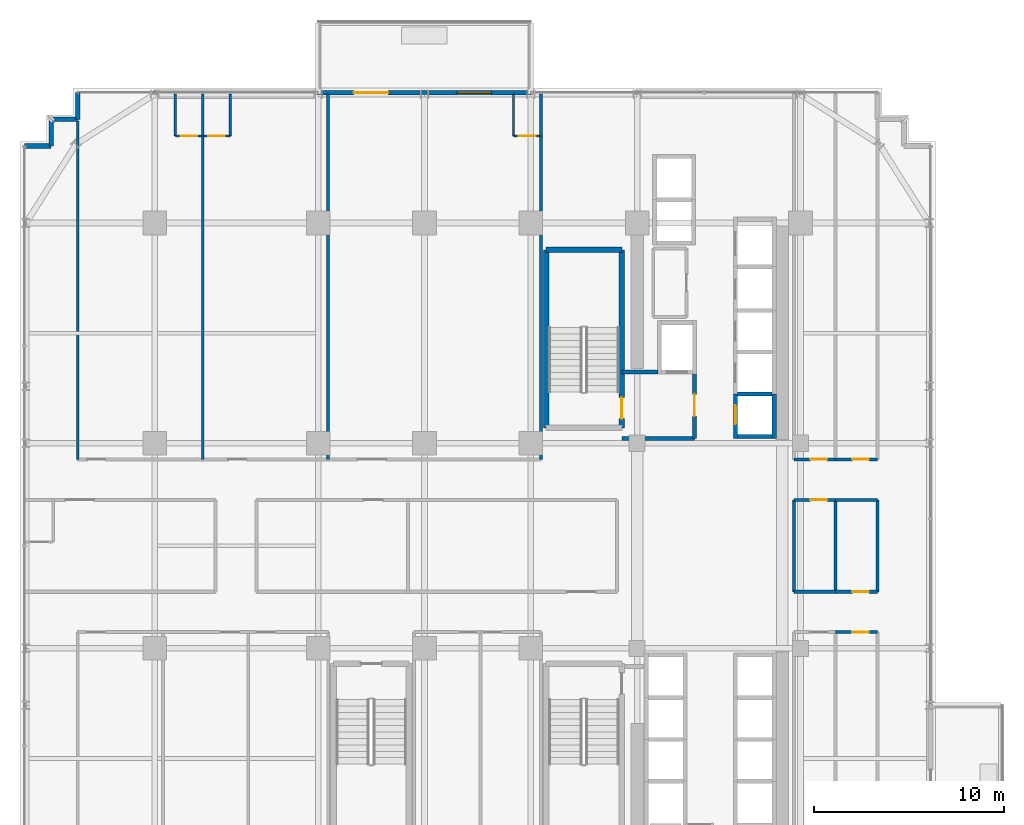
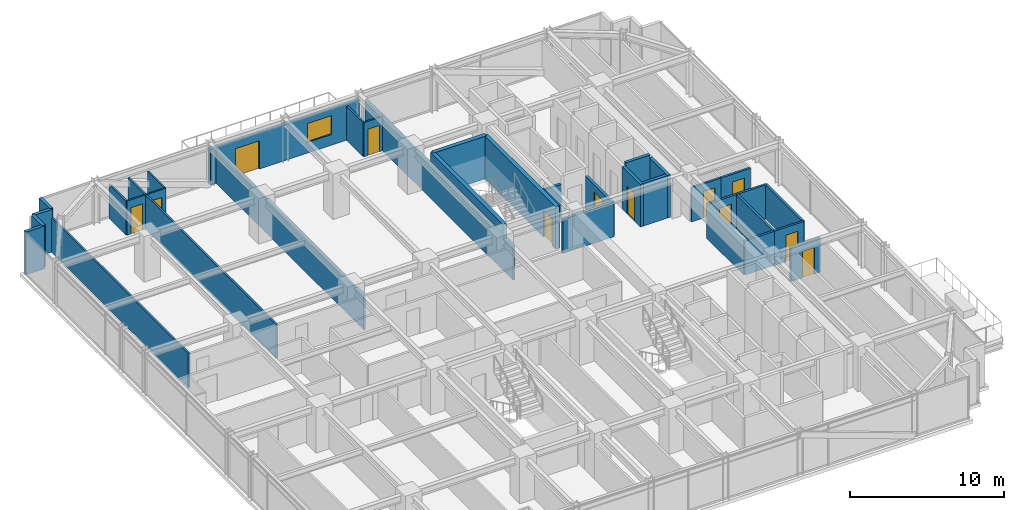
# One storey, part 35 of 41: 35 walls, 12 doors, 1 window, 13 openings.
"""IFC4 building model written with IfcOpenShell, lengths in metres."""

from ifc_helpers import new_model, si_unit, direction, frame, frame_2d, origin, place, context, subcontext, project, spatial, rectangle, extrude, source, transform, mapped, material, layer, layer_set, type_object, element, fill, save


model = new_model("IFC4")

# Units and contexts
model_context = context("Model", 3, precision=1e-05, world=origin(), true_north=direction((0.0, 1.0)))
body_context = subcontext(model_context, "Body", "Model", "MODEL_VIEW")
ifc_project = project(units=[si_unit("LENGTHUNIT", "METRE"), si_unit("AREAUNIT", "SQUARE_METRE"), si_unit("VOLUMEUNIT", "CUBIC_METRE"), si_unit("PLANEANGLEUNIT", "RADIAN"), si_unit("MASSUNIT", "GRAM", prefix="KILO")], contexts=[model_context])

# Site, building, storey
site_placement = place(None, origin())
site = spatial("IfcSite", under=ifc_project, at=site_placement, CompositionType="ELEMENT")
building_placement = place(site_placement, origin())
building = spatial("IfcBuilding", under=site, at=building_placement, Name="Nahalor Promenade Grand Hotel", CompositionType="ELEMENT")
storey_placement = place(building_placement, frame((0.0, 0.0, 113.85009765625)))
storey = spatial("IfcBuildingStorey", under=building, at=storey_placement, Name="L28", CompositionType="ELEMENT", Elevation=113.85009765625)

# Walls
ifc_material_1 = material(Name="Concrete B-50 (C40/50)", Category="concrete")
ifc_layer_1 = layer(ifc_material_1, 0.300048828125)
ifc_layer_set_1 = layer_set([ifc_layer_1], Name="Concrete B-50 (C40/50)")
wall_type_1 = type_object("IfcWallType", Name="Wall-ShaftShear-300", PredefinedType="SHEAR", material=ifc_layer_set_1)
shared_shape_1 = source(origin(), body_context, "Body", "SweptSolid", [
    extrude(rectangle(XDim=3.97998046875, YDim=0.300048828125, at=frame_2d((1.989990234375, 0.0))), origin(), (0.0, 0.0, 1.0), 3.3798828125),
])
wall_1_placement = place(storey_placement, frame((3.610107421875, 15.590087890625, 0.0), z_axis=(0.0, 0.0, 1.0), x_axis=(1.0, 0.0, 0.0)))
element("IfcWall", 1, at=wall_1_placement, inside=storey, type_object=wall_type_1, Name="L28 Exit Stair ST1 Shaft Wall N", PredefinedType="SHEAR", context=body_context, shape_type="MappedRepresentation", body=[
    mapped(shared_shape_1, transform((0.0, 0.0, 0.0), scale=1.0)),
])
shared_shape_2 = source(origin(), body_context, "Body", "SweptSolid", [
    extrude(rectangle(XDim=9.380126953125, YDim=0.300048828125, at=frame_2d((4.68994140625, 0.0))), origin(), (0.0, 0.0, 1.0), 3.3798828125),
])
wall_2_placement = place(storey_placement, frame((3.610107421875, 6.2099609375, 0.0), z_axis=(0.0, 0.0, 1.0), x_axis=(0.0, 1.0, 0.0)))
element("IfcWall", 2, at=wall_2_placement, inside=storey, type_object=wall_type_1, Name="L28 Exit Stair ST1 Shaft Wall W", PredefinedType="SHEAR", context=body_context, shape_type="MappedRepresentation", body=[
    mapped(shared_shape_2, transform((0.0, 0.0, 0.0), scale=1.0)),
])

# Wall, opening, door
wall_3_placement = place(storey_placement, frame((7.590087890625, 6.2099609375, 0.0), z_axis=(0.0, 0.0, 1.0), x_axis=(0.0, 1.0, 0.0)))
wall_3 = element("IfcWall", 3, at=wall_3_placement, inside=storey, type_object=wall_type_1, Name="L28 Exit Stair ST1 Shaft Wall E", PredefinedType="SHEAR", context=body_context, shape_type="MappedRepresentation", body=[
    mapped(shared_shape_2, transform((0.0, 0.0, 0.0), scale=1.0)),
])
opening_1_placement = place(wall_3_placement, frame((0.489990234375, 0.0, 0.0)))
opening_1 = element("IfcOpeningElement", 4, at=opening_1_placement, cuts=wall_3, Name="Opening D-ST1", PredefinedType="OPENING", context=body_context, shape_type="SweptSolid", body=[
    extrude(rectangle(XDim=1.10009765625, YDim=2.14990234375, at=frame_2d((0.550048828125, 1.074951171875))), frame((0.0, 0.159912109375, 0.0), z_axis=(0.0, -1.0, 0.0), x_axis=(1.0, 0.0, 0.0)), (0.0, 0.0, 1.0), 0.320068359375),
])
ifc_material_2 = material(Name="Steel S355JR", Category="steel")
door_type_1 = type_object("IfcDoorType", Name="Door-StairFire-1100", OperationType="NOTDEFINED", PredefinedType="DOOR", material=ifc_material_2)
shared_shape_3 = source(origin(), body_context, "Body", "SweptSolid", [
    extrude(rectangle(XDim=1.10009765625, YDim=2.14990234375, at=frame_2d((0.550048828125, 1.074951171875))), frame((0.0, 0.02490234375, 0.0), z_axis=(0.0, -1.0, 0.0), x_axis=(1.0, 0.0, 0.0)), (0.0, 0.0, 1.0), 0.050048828125),
])
door_1_placement = place(opening_1_placement, origin())
door_1 = element("IfcDoor", 5, at=door_1_placement, inside=storey, type_object=door_type_1, Name="DR-STAIR-ST1-L28", OperationType="SINGLE_SWING_LEFT", OverallHeight=2.14990234375, OverallWidth=1.10009765625, PredefinedType="DOOR", context=body_context, shape_type="MappedRepresentation", body=[
    mapped(shared_shape_3, transform((0.0, 0.0, 0.0), scale=1.0)),
])
fill(opening_1, door_1)

# Wall
ifc_layer_2 = layer(ifc_material_1, 0.219970703125)
ifc_layer_set_2 = layer_set([ifc_layer_2], Name="Concrete B-50 (C40/50)")
wall_type_2 = type_object("IfcWallType", Name="Wall-LiftShaft-220", PredefinedType="SHEAR", material=ifc_layer_set_2)
shared_shape_4 = source(origin(), body_context, "Body", "SweptSolid", [
    extrude(rectangle(XDim=1.820068359375, YDim=0.219970703125, at=frame_2d((0.91015625, 0.0))), origin(), (0.0, 0.0, 1.0), 3.64990234375),
])
wall_4_placement = place(storey_placement, frame((13.68994140625, 8.0, 0.0), z_axis=(0.0, 0.0, 1.0), x_axis=(1.0, 0.0, 0.0)))
element("IfcWall", 6, at=wall_4_placement, inside=storey, type_object=wall_type_2, Name="L28 Lift PL1 Hoistway Wall N", PredefinedType="SHEAR", context=body_context, shape_type="MappedRepresentation", body=[
    mapped(shared_shape_4, transform((0.0, 0.0, 0.0), scale=1.0)),
])

# Wall, opening, door
shared_shape_5 = source(origin(), body_context, "Body", "SweptSolid", [
    extrude(rectangle(XDim=2.360107421875, YDim=0.219970703125, at=frame_2d((1.18017578125, 0.0))), origin(), (0.0, 0.0, 1.0), 3.3798828125),
])
wall_5_placement = place(storey_placement, frame((13.580078125, 5.639892578125, 0.0), z_axis=(0.0, 0.0, 1.0), x_axis=(0.0, 1.0, 0.0)))
wall_5 = element("IfcWall", 7, at=wall_5_placement, inside=storey, type_object=wall_type_2, Name="L28 Lift PL1 Hoistway Wall W", PredefinedType="SHEAR", context=body_context, shape_type="MappedRepresentation", body=[
    mapped(shared_shape_5, transform((0.0, 0.0, 0.0), scale=1.0)),
])
opening_2_placement = place(wall_5_placement, frame((0.760009765625, 0.0, 0.0)))
opening_2 = element("IfcOpeningElement", 8, at=opening_2_placement, cuts=wall_5, Name="Opening LD-01", PredefinedType="OPENING", context=body_context, shape_type="SweptSolid", body=[
    extrude(rectangle(XDim=1.0, YDim=2.199951171875, at=frame_2d((0.5, 1.10009765625))), frame((0.0, 0.119873046875, 0.0), z_axis=(0.0, -1.0, 0.0), x_axis=(1.0, 0.0, 0.0)), (0.0, 0.0, 1.0), 0.239990234375),
])
door_type_2 = type_object("IfcDoorType", Name="Door-LiftLanding-1000", OperationType="DOUBLE_DOOR_SLIDING", PredefinedType="DOOR", material=ifc_material_2)
shared_shape_6 = source(origin(), body_context, "Body", "SweptSolid", [
    extrude(rectangle(XDim=1.0, YDim=2.199951171875, at=frame_2d((0.5, 1.10009765625))), frame((0.0, 0.02490234375, 0.0), z_axis=(0.0, -1.0, 0.0), x_axis=(1.0, 0.0, 0.0)), (0.0, 0.0, 1.0), 0.050048828125),
])
door_2_placement = place(opening_2_placement, origin())
door_2 = element("IfcDoor", 9, at=door_2_placement, inside=storey, type_object=door_type_2, Name="DR-LIFT-PL1-L28", OperationType="DOUBLE_DOOR_SLIDING", OverallHeight=2.199951171875, OverallWidth=1.0, PredefinedType="DOOR", context=body_context, shape_type="MappedRepresentation", body=[
    mapped(shared_shape_6, transform((0.0, 0.0, 0.0), scale=1.0)),
])
fill(opening_2, door_2)

# Walls
wall_6_placement = place(storey_placement, frame((15.6201171875, 5.639892578125, 0.0), z_axis=(0.0, 0.0, 1.0), x_axis=(0.0, 1.0, 0.0)))
element("IfcWall", 10, at=wall_6_placement, inside=storey, type_object=wall_type_2, Name="L28 Lift PL1 Hoistway Wall E", PredefinedType="SHEAR", context=body_context, shape_type="MappedRepresentation", body=[
    mapped(shared_shape_5, transform((0.0, 0.0, 0.0), scale=1.0)),
])
shared_shape_7 = source(origin(), body_context, "Body", "SweptSolid", [
    extrude(rectangle(XDim=1.820068359375, YDim=0.219970703125, at=frame_2d((0.91015625, 0.0))), origin(), (0.0, 0.0, 1.0), 3.3798828125),
])
wall_7_placement = place(storey_placement, frame((13.68994140625, 5.75, 0.0), z_axis=(0.0, 0.0, 1.0), x_axis=(1.0, 0.0, 0.0)))
element("IfcWall", 11, at=wall_7_placement, inside=storey, type_object=wall_type_2, Name="L28 Lift PL1 Hoistway Wall S", PredefinedType="SHEAR", context=body_context, shape_type="MappedRepresentation", body=[
    mapped(shared_shape_7, transform((0.0, 0.0, 0.0), scale=1.0)),
])
ifc_material_3 = material(Name="Concrete B-40 (C32/40)", Category="concrete")
ifc_layer_3 = layer(ifc_material_3, 0.25)
ifc_layer_set_3 = layer_set([ifc_layer_3], Name="Concrete B-40 (C32/40)")
wall_type_3 = type_object("IfcWallType", Name="Wall-BronzePier-250", PredefinedType="STANDARD", material=ifc_layer_set_3)
shared_shape_8 = source(origin(), body_context, "Body", "SweptSolid", [
    extrude(rectangle(XDim=1.400146484375, YDim=0.25, at=frame_2d((0.7001953125, 0.0))), origin(), (0.0, 0.0, 1.0), 3.3798828125),
])
for number, where, z_axis, x_axis, name in (
    (12, (-21.06005859375, 22.4599609375, 0.0), (0.0, 0.0, 1.0), (0.0, 1.0, 0.0), "W-L28-SR-09"),
    (13, (-23.860107421875, 21.06005859375, 0.0), (0.0, 0.0, 1.0), (1.0, 0.0, 0.0), "W-L28-SR-12"),
):
    element("IfcWall", number, at=place(storey_placement, frame(where, z_axis=z_axis, x_axis=x_axis)), inside=storey, type_object=wall_type_3, Name=name, PredefinedType="STANDARD", context=body_context, shape_type="MappedRepresentation", body=[
        mapped(shared_shape_8, transform((0.0, 0.0, 0.0), scale=1.0)),
    ])
shared_shape_9 = source(origin(), body_context, "Body", "SweptSolid", [
    extrude(rectangle(XDim=1.39990234375, YDim=0.25, at=frame_2d((0.699951171875, 0.0))), origin(), (0.0, 0.0, 1.0), 3.3798828125),
])
for number, where, z_axis, x_axis, name in (
    (14, (-22.4599609375, 22.4599609375, 0.0), (0.0, 0.0, 1.0), (1.0, 0.0, 0.0), "W-L28-SR-10"),
    (15, (-22.4599609375, 21.06005859375, 0.0), (0.0, 0.0, 1.0), (0.0, 1.0, 0.0), "W-L28-SR-11"),
):
    element("IfcWall", number, at=place(storey_placement, frame(where, z_axis=z_axis, x_axis=x_axis)), inside=storey, type_object=wall_type_3, Name=name, PredefinedType="STANDARD", context=body_context, shape_type="MappedRepresentation", body=[
        mapped(shared_shape_9, transform((0.0, 0.0, 0.0), scale=1.0)),
    ])

# Wall, openings, door, window
ifc_layer_4 = layer(ifc_material_3, 0.260009765625)
ifc_layer_set_4 = layer_set([ifc_layer_4], Name="Concrete B-40 (C32/40)")
wall_type_4 = type_object("IfcWallType", Name="Wall-BalconyWall-260", PredefinedType="STANDARD", material=ifc_layer_set_4)
shared_shape_10 = source(origin(), body_context, "Body", "SweptSolid", [
    extrude(rectangle(XDim=11.199951171875, YDim=0.260009765625, at=frame_2d((5.60009765625, 0.0))), origin(), (0.0, 0.0, 1.0), 2.85986328125),
])
wall_8_placement = place(storey_placement, frame((-8.39990234375, 23.860107421875, 0.0), z_axis=(0.0, 0.0, 1.0), x_axis=(1.0, 0.0, 0.0)))
wall_8 = element("IfcWall", 16, at=wall_8_placement, inside=storey, type_object=wall_type_4, Name="W-L28-BALC-N-2", PredefinedType="STANDARD", context=body_context, shape_type="MappedRepresentation", body=[
    mapped(shared_shape_10, transform((0.0, 0.0, 0.0), scale=1.0)),
])
opening_3_placement = place(wall_8_placement, frame((1.883056640625, 0.0, 0.0)))
opening_3 = element("IfcOpeningElement", 17, at=opening_3_placement, cuts=wall_8, Name="Opening D-BC1", PredefinedType="OPENING", context=body_context, shape_type="SweptSolid", body=[
    extrude(rectangle(XDim=1.800048828125, YDim=2.25, at=frame_2d((0.89990234375, 1.125))), frame((0.0, 0.139892578125, 0.0), z_axis=(0.0, -1.0, 0.0), x_axis=(1.0, 0.0, 0.0)), (0.0, 0.0, 1.0), 0.280029296875),
])
opening_4_placement = place(wall_8_placement, frame((7.320068359375, 0.0, 0.85009765625)))
opening_4 = element("IfcOpeningElement", 18, at=opening_4_placement, cuts=wall_8, Name="Opening WN-01", PredefinedType="OPENING", context=body_context, shape_type="SweptSolid", body=[
    extrude(rectangle(XDim=1.800048828125, YDim=1.5, at=frame_2d((0.89990234375, 0.75))), frame((0.0, 0.139892578125, 0.0), z_axis=(0.0, -1.0, 0.0), x_axis=(1.0, 0.0, 0.0)), (0.0, 0.0, 1.0), 0.280029296875),
])
ifc_material_4 = material(Name="Anodised Bronze Aluminium EN AW-6063 T6", Category="aluminium")
door_type_3 = type_object("IfcDoorType", Name="Door-BalconySlide-1800", OperationType="DOUBLE_DOOR_SLIDING", PredefinedType="DOOR", material=ifc_material_4)
shared_shape_11 = source(origin(), body_context, "Body", "SweptSolid", [
    extrude(rectangle(XDim=1.800048828125, YDim=2.25, at=frame_2d((0.89990234375, 1.125))), frame((0.0, 0.02490234375, 0.0), z_axis=(0.0, -1.0, 0.0), x_axis=(1.0, 0.0, 0.0)), (0.0, 0.0, 1.0), 0.050048828125),
])
door_3_placement = place(opening_3_placement, origin())
door_3 = element("IfcDoor", 19, at=door_3_placement, inside=storey, type_object=door_type_3, Name="DR-L28-BALC-N-2", OperationType="DOUBLE_DOOR_SLIDING", OverallHeight=2.25, OverallWidth=1.800048828125, PredefinedType="DOOR", context=body_context, shape_type="MappedRepresentation", body=[
    mapped(shared_shape_11, transform((0.0, 0.0, 0.0), scale=1.0)),
])
fill(opening_3, door_3)
ifc_material_5 = material(Name="Low-E Laminated Solar Glass", Category="glass")
window_type = type_object("IfcWindowType", Name="Win-ChicagoBay-1800x1500", PartitioningType="SINGLE_PANEL", PredefinedType="WINDOW", material=ifc_material_5)
shared_shape_12 = source(origin(), body_context, "Body", "SweptSolid", [
    extrude(rectangle(XDim=1.800048828125, YDim=1.5, at=frame_2d((0.89990234375, 0.75))), frame((0.0, 0.030029296875, 0.0), z_axis=(0.0, -1.0, 0.0), x_axis=(1.0, 0.0, 0.0)), (0.0, 0.0, 1.0), 0.06005859375),
])
window_placement = place(opening_4_placement, origin())
window = element("IfcWindow", 20, at=window_placement, inside=storey, type_object=window_type, Name="WN-L28-BALC-N-2-1", OverallHeight=1.5, OverallWidth=1.800048828125, PartitioningType="SINGLE_PANEL", PredefinedType="WINDOW", context=body_context, shape_type="MappedRepresentation", body=[
    mapped(shared_shape_12, transform((0.0, 0.0, 0.0), scale=1.0)),
])
fill(opening_4, window)

# Walls
ifc_layer_5 = layer(ifc_material_3, 0.199951171875)
ifc_layer_set_5 = layer_set([ifc_layer_5], Name="Concrete B-40 (C32/40)")
wall_type_5 = type_object("IfcWallType", Name="Wall-PartFire-200", PredefinedType="PARTITIONING", material=ifc_layer_set_5)
shared_shape_13 = source(origin(), body_context, "Body", "SweptSolid", [
    extrude(rectangle(XDim=3.81982421875, YDim=0.199951171875, at=frame_2d((1.909912109375, 0.0))), origin(), (0.0, 0.0, 1.0), 2.719970703125),
])
wall_9_placement = place(storey_placement, frame((7.60009765625, 5.64990234375, 0.0), z_axis=(0.0, 0.0, 1.0), x_axis=(1.0, 0.0, 0.0)))
element("IfcWall", 21, at=wall_9_placement, inside=storey, type_object=wall_type_5, Name="W-L28-FF1-S", PredefinedType="PARTITIONING", context=body_context, shape_type="MappedRepresentation", body=[
    mapped(shared_shape_13, transform((0.0, 0.0, 0.0), scale=1.0)),
])
shared_shape_14 = source(origin(), body_context, "Body", "SweptSolid", [
    extrude(rectangle(XDim=1.89990234375, YDim=0.199951171875, at=frame_2d((0.949951171875, 0.0))), origin(), (0.0, 0.0, 1.0), 2.719970703125),
])
wall_10_placement = place(storey_placement, frame((7.60009765625, 9.14990234375, 0.0), z_axis=(0.0, 0.0, 1.0), x_axis=(1.0, 0.0, 0.0)))
element("IfcWall", 22, at=wall_10_placement, inside=storey, type_object=wall_type_5, Name="W-L28-FF1-N", PredefinedType="PARTITIONING", context=body_context, shape_type="MappedRepresentation", body=[
    mapped(shared_shape_14, transform((0.0, 0.0, 0.0), scale=1.0)),
])

# Wall, opening, door
shared_shape_15 = source(origin(), body_context, "Body", "SweptSolid", [
    extrude(rectangle(XDim=3.5, YDim=0.199951171875, at=frame_2d((1.75, 0.0))), origin(), (0.0, 0.0, 1.0), 2.719970703125),
])
wall_11_placement = place(storey_placement, frame((11.419921875, 5.64990234375, 0.0), z_axis=(0.0, 0.0, 1.0), x_axis=(0.0, 1.0, 0.0)))
wall_11 = element("IfcWall", 23, at=wall_11_placement, inside=storey, type_object=wall_type_5, Name="W-L28-FF1-E", PredefinedType="PARTITIONING", context=body_context, shape_type="MappedRepresentation", body=[
    mapped(shared_shape_15, transform((0.0, 0.0, 0.0), scale=1.0)),
])
opening_5_placement = place(wall_11_placement, frame((1.175048828125, 0.0, 0.0)))
opening_5 = element("IfcOpeningElement", 24, at=opening_5_placement, cuts=wall_11, Name="Opening D-FF1", PredefinedType="OPENING", context=body_context, shape_type="SweptSolid", body=[
    extrude(rectangle(XDim=1.14990234375, YDim=2.14990234375, at=frame_2d((0.574951171875, 1.074951171875))), frame((0.0, 0.10986328125, 0.0), z_axis=(0.0, -1.0, 0.0), x_axis=(1.0, 0.0, 0.0)), (0.0, 0.0, 1.0), 0.219970703125),
])
door_type_4 = type_object("IfcDoorType", Name="Door-FFLobby-1150", OperationType="NOTDEFINED", PredefinedType="DOOR", material=ifc_material_2)
shared_shape_16 = source(origin(), body_context, "Body", "SweptSolid", [
    extrude(rectangle(XDim=1.14990234375, YDim=2.14990234375, at=frame_2d((0.574951171875, 1.074951171875))), frame((0.0, 0.02490234375, 0.0), z_axis=(0.0, -1.0, 0.0), x_axis=(1.0, 0.0, 0.0)), (0.0, 0.0, 1.0), 0.050048828125),
])
door_4_placement = place(opening_5_placement, frame((1.14990234375, 0.0, 0.0), z_axis=(0.0, 0.0, 1.0), x_axis=(-1.0, 0.0, 0.0)))
door_4 = element("IfcDoor", 25, at=door_4_placement, inside=storey, type_object=door_type_4, Name="DR-L28-FFL1", OperationType="SINGLE_SWING_RIGHT", OverallHeight=2.14990234375, OverallWidth=1.14990234375, PredefinedType="DOOR", context=body_context, shape_type="MappedRepresentation", body=[
    mapped(shared_shape_16, transform((0.0, 0.0, 0.0), scale=1.0)),
])
fill(opening_5, door_4)

# Walls
ifc_material_6 = material(Name="Acoustic Mineral Gypsum", Category="gypsum")
ifc_layer_6 = layer(ifc_material_6, 0.139892578125)
ifc_layer_set_6 = layer_set([ifc_layer_6], Name="Acoustic Mineral Gypsum")
wall_type_6 = type_object("IfcWallType", Name="Wall-PartSuite-140", PredefinedType="PARTITIONING", material=ifc_layer_set_6)
shared_shape_17 = source(origin(), body_context, "Body", "SweptSolid", [
    extrude(rectangle(XDim=17.829833984375, YDim=0.139892578125, at=frame_2d((8.9150390625, 0.0))), origin(), (0.0, 0.0, 1.0), 2.719970703125),
])
wall_12_placement = place(storey_placement, frame((-21.06005859375, 4.550048828125, 0.0), z_axis=(0.0, 0.0, 1.0), x_axis=(0.0, 1.0, 0.0)))
element("IfcWall", 26, at=wall_12_placement, inside=storey, type_object=wall_type_6, Name="W-L28-NW-ENDW", PredefinedType="PARTITIONING", context=body_context, shape_type="MappedRepresentation", body=[
    mapped(shared_shape_17, transform((0.0, 0.0, 0.0), scale=1.0)),
])
shared_shape_18 = source(origin(), body_context, "Body", "SweptSolid", [
    extrude(rectangle(XDim=19.25, YDim=0.139892578125, at=frame_2d((9.625, 0.0))), origin(), (0.0, 0.0, 1.0), 2.719970703125),
])
for number, where, z_axis, x_axis, name in (
    (27, (3.340087890625, 4.550048828125, 0.0), (0.0, 0.0, 1.0), (0.0, 1.0, 0.0), "W-L28-NW-ENDE"),
    (28, (-14.471923828125, 4.550048828125, 0.0), (0.0, 0.0, 1.0), (0.0, 1.0, 0.0), "W-L28-NP-1"),
    (29, (-7.884033203125, 4.550048828125, 0.0), (0.0, 0.0, 1.0), (0.0, 1.0, 0.0), "W-L28-NP-2"),
):
    element("IfcWall", number, at=place(storey_placement, frame(where, z_axis=z_axis, x_axis=x_axis)), inside=storey, type_object=wall_type_6, Name=name, PredefinedType="PARTITIONING", context=body_context, shape_type="MappedRepresentation", body=[
        mapped(shared_shape_18, transform((0.0, 0.0, 0.0), scale=1.0)),
    ])

# Wall, opening, door
ifc_layer_7 = layer(ifc_material_6, 0.1201171875)
ifc_layer_set_7 = layer_set([ifc_layer_7], Name="Acoustic Mineral Gypsum")
wall_type_7 = type_object("IfcWallType", Name="Wall-PartBath-120", PredefinedType="PARTITIONING", material=ifc_layer_set_7)
shared_shape_19 = source(origin(), body_context, "Body", "SweptSolid", [
    extrude(rectangle(XDim=1.4501953125, YDim=0.1201171875, at=frame_2d((0.72509765625, 0.0))), origin(), (0.0, 0.0, 1.0), 2.719970703125),
])
wall_13_placement = place(storey_placement, frame((-15.922119140625, 21.580078125, 0.0), z_axis=(0.0, 0.0, 1.0), x_axis=(1.0, 0.0, 0.0)))
wall_13 = element("IfcWall", 30, at=wall_13_placement, inside=storey, type_object=wall_type_7, Name="W-L28-N1-BH", PredefinedType="PARTITIONING", context=body_context, shape_type="MappedRepresentation", body=[
    mapped(shared_shape_19, transform((0.0, 0.0, 0.0), scale=1.0)),
])
opening_6_placement = place(wall_13_placement, frame((0.284912109375, 0.0, 0.0)))
opening_6 = element("IfcOpeningElement", 31, at=opening_6_placement, cuts=wall_13, Name="Opening D-03", PredefinedType="OPENING", context=body_context, shape_type="SweptSolid", body=[
    extrude(rectangle(XDim=0.8798828125, YDim=2.10009765625, at=frame_2d((0.43994140625, 1.050048828125))), frame((0.0, 0.070068359375, 0.0), z_axis=(0.0, -1.0, 0.0), x_axis=(1.0, 0.0, 0.0)), (0.0, 0.0, 1.0), 0.14013671875),
])
ifc_material_7 = material(Name="Fire-Rated Timber Composite", Category="wood")
door_type_5 = type_object("IfcDoorType", Name="Door-BathSwing-880", OperationType="NOTDEFINED", PredefinedType="DOOR", material=ifc_material_7)
shared_shape_20 = source(origin(), body_context, "Body", "SweptSolid", [
    extrude(rectangle(XDim=0.8798828125, YDim=2.10009765625, at=frame_2d((0.43994140625, 1.050048828125))), frame((0.0, 0.02490234375, 0.0), z_axis=(0.0, -1.0, 0.0), x_axis=(1.0, 0.0, 0.0)), (0.0, 0.0, 1.0), 0.050048828125),
])
door_5_placement = place(opening_6_placement, origin())
door_5 = element("IfcDoor", 32, at=door_5_placement, inside=storey, type_object=door_type_5, Name="DR-L28-N1-BATH", OperationType="SINGLE_SWING_LEFT", OverallHeight=2.10009765625, OverallWidth=0.8798828125, PredefinedType="DOOR", context=body_context, shape_type="MappedRepresentation", body=[
    mapped(shared_shape_20, transform((0.0, 0.0, 0.0), scale=1.0)),
])
fill(opening_6, door_5)

wall_14_placement = place(storey_placement, frame((1.889892578125, 21.580078125, 0.0), z_axis=(0.0, 0.0, 1.0), x_axis=(1.0, 0.0, 0.0)))
wall_14 = element("IfcWall", 33, at=wall_14_placement, inside=storey, type_object=wall_type_7, Name="W-L28-N3-BH", PredefinedType="PARTITIONING", context=body_context, shape_type="MappedRepresentation", body=[
    mapped(shared_shape_19, transform((0.0, 0.0, 0.0), scale=1.0)),
])
opening_7_placement = place(wall_14_placement, frame((0.284912109375, 0.0, 0.0)))
opening_7 = element("IfcOpeningElement", 34, at=opening_7_placement, cuts=wall_14, Name="Opening D-03", PredefinedType="OPENING", context=body_context, shape_type="SweptSolid", body=[
    extrude(rectangle(XDim=0.8798828125, YDim=2.10009765625, at=frame_2d((0.43994140625, 1.050048828125))), frame((0.0, 0.070068359375, 0.0), z_axis=(0.0, -1.0, 0.0), x_axis=(1.0, 0.0, 0.0)), (0.0, 0.0, 1.0), 0.14013671875),
])
door_6_placement = place(opening_7_placement, origin())
door_6 = element("IfcDoor", 35, at=door_6_placement, inside=storey, type_object=door_type_5, Name="DR-L28-N3-BATH", OperationType="SINGLE_SWING_LEFT", OverallHeight=2.10009765625, OverallWidth=0.8798828125, PredefinedType="DOOR", context=body_context, shape_type="MappedRepresentation", body=[
    mapped(shared_shape_20, transform((0.0, 0.0, 0.0), scale=1.0)),
])
fill(opening_7, door_6)

# Walls
shared_shape_21 = source(origin(), body_context, "Body", "SweptSolid", [
    extrude(rectangle(XDim=2.219970703125, YDim=0.1201171875, at=frame_2d((1.10986328125, 0.0))), origin(), (0.0, 0.0, 1.0), 2.719970703125),
])
for number, where, z_axis, x_axis, name in (
    (36, (-15.922119140625, 21.580078125, 0.0), (0.0, 0.0, 1.0), (0.0, 1.0, 0.0), "W-L28-N1-BV"),
    (37, (-13.02197265625, 21.580078125, 0.0), (0.0, 0.0, 1.0), (0.0, 1.0, 0.0), "W-L28-N2-BV"),
    (38, (1.889892578125, 21.580078125, 0.0), (0.0, 0.0, 1.0), (0.0, 1.0, 0.0), "W-L28-N3-BV"),
):
    element("IfcWall", number, at=place(storey_placement, frame(where, z_axis=z_axis, x_axis=x_axis)), inside=storey, type_object=wall_type_7, Name=name, PredefinedType="PARTITIONING", context=body_context, shape_type="MappedRepresentation", body=[
        mapped(shared_shape_21, transform((0.0, 0.0, 0.0), scale=1.0)),
    ])

# Wall, opening, door
shared_shape_22 = source(origin(), body_context, "Body", "SweptSolid", [
    extrude(rectangle(XDim=1.449951171875, YDim=0.1201171875, at=frame_2d((0.72509765625, 0.0))), origin(), (0.0, 0.0, 1.0), 2.719970703125),
])
wall_15_placement = place(storey_placement, frame((-14.471923828125, 21.580078125, 0.0), z_axis=(0.0, 0.0, 1.0), x_axis=(1.0, 0.0, 0.0)))
wall_15 = element("IfcWall", 39, at=wall_15_placement, inside=storey, type_object=wall_type_7, Name="W-L28-N2-BH", PredefinedType="PARTITIONING", context=body_context, shape_type="MappedRepresentation", body=[
    mapped(shared_shape_22, transform((0.0, 0.0, 0.0), scale=1.0)),
])
opening_8_placement = place(wall_15_placement, frame((0.284912109375, 0.0, 0.0)))
opening_8 = element("IfcOpeningElement", 40, at=opening_8_placement, cuts=wall_15, Name="Opening D-03", PredefinedType="OPENING", context=body_context, shape_type="SweptSolid", body=[
    extrude(rectangle(XDim=0.8798828125, YDim=2.10009765625, at=frame_2d((0.43994140625, 1.050048828125))), frame((0.0, 0.070068359375, 0.0), z_axis=(0.0, -1.0, 0.0), x_axis=(1.0, 0.0, 0.0)), (0.0, 0.0, 1.0), 0.14013671875),
])
door_7_placement = place(opening_8_placement, origin())
door_7 = element("IfcDoor", 41, at=door_7_placement, inside=storey, type_object=door_type_5, Name="DR-L28-N2-BATH", OperationType="SINGLE_SWING_LEFT", OverallHeight=2.10009765625, OverallWidth=0.8798828125, PredefinedType="DOOR", context=body_context, shape_type="MappedRepresentation", body=[
    mapped(shared_shape_20, transform((0.0, 0.0, 0.0), scale=1.0)),
])
fill(opening_8, door_7)

# Walls
ifc_layer_8 = layer(ifc_material_6, 0.159912109375)
ifc_layer_set_8 = layer_set([ifc_layer_8], Name="Acoustic Mineral Gypsum")
wall_type_8 = type_object("IfcWallType", Name="Wall-PartCorridor-160", PredefinedType="PARTITIONING", material=ifc_layer_set_8)
shared_shape_23 = source(origin(), body_context, "Body", "SweptSolid", [
    extrude(rectangle(XDim=4.83984375, YDim=0.159912109375, at=frame_2d((2.419921875, 0.0))), origin(), (0.0, 0.0, 1.0), 2.719970703125),
])
for number, where, z_axis, x_axis, name in (
    (42, (16.64990234375, -2.419921875, 0.0), (0.0, 0.0, 1.0), (0.0, 1.0, 0.0), "W-L28-ECW1-W"),
    (43, (18.85498046875, -2.419921875, 0.0), (0.0, 0.0, 1.0), (0.0, 1.0, 0.0), "W-L28-ECW1-E"),
    (44, (21.06005859375, -2.419921875, 0.0), (0.0, 0.0, 1.0), (0.0, 1.0, 0.0), "W-L28-ECW2-E"),
):
    element("IfcWall", number, at=place(storey_placement, frame(where, z_axis=z_axis, x_axis=x_axis)), inside=storey, type_object=wall_type_8, Name=name, PredefinedType="PARTITIONING", context=body_context, shape_type="MappedRepresentation", body=[
        mapped(shared_shape_23, transform((0.0, 0.0, 0.0), scale=1.0)),
    ])

# Wall, opening, door
shared_shape_24 = source(origin(), body_context, "Body", "SweptSolid", [
    extrude(rectangle(XDim=2.205078125, YDim=0.159912109375, at=frame_2d((1.1025390625, 0.0))), origin(), (0.0, 0.0, 1.0), 2.719970703125),
])
wall_16_placement = place(storey_placement, frame((16.64990234375, 4.550048828125, 0.0), z_axis=(0.0, 0.0, 1.0), x_axis=(1.0, 0.0, 0.0)))
wall_16 = element("IfcWall", 45, at=wall_16_placement, inside=storey, type_object=wall_type_8, Name="W-L28-ENE1-S", PredefinedType="PARTITIONING", context=body_context, shape_type="MappedRepresentation", body=[
    mapped(shared_shape_24, transform((0.0, 0.0, 0.0), scale=1.0)),
])
opening_9_placement = place(wall_16_placement, frame((0.875, 0.0, 0.0)))
opening_9 = element("IfcOpeningElement", 46, at=opening_9_placement, cuts=wall_16, Name="Opening D-03", PredefinedType="OPENING", context=body_context, shape_type="SweptSolid", body=[
    extrude(rectangle(XDim=0.8798828125, YDim=2.10009765625, at=frame_2d((0.43994140625, 1.050048828125))), frame((0.0, 0.08984375, 0.0), z_axis=(0.0, -1.0, 0.0), x_axis=(1.0, 0.0, 0.0)), (0.0, 0.0, 1.0), 0.179931640625),
])
door_8_placement = place(opening_9_placement, origin())
door_8 = element("IfcDoor", 47, at=door_8_placement, inside=storey, type_object=door_type_5, Name="DR-L28-ENE1", OperationType="SINGLE_SWING_LEFT", OverallHeight=2.10009765625, OverallWidth=0.8798828125, PredefinedType="DOOR", context=body_context, shape_type="MappedRepresentation", body=[
    mapped(shared_shape_20, transform((0.0, 0.0, 0.0), scale=1.0)),
])
fill(opening_9, door_8)

wall_17_placement = place(storey_placement, frame((18.85498046875, 4.550048828125, 0.0), z_axis=(0.0, 0.0, 1.0), x_axis=(1.0, 0.0, 0.0)))
wall_17 = element("IfcWall", 48, at=wall_17_placement, inside=storey, type_object=wall_type_8, Name="W-L28-ENE2-S", PredefinedType="PARTITIONING", context=body_context, shape_type="MappedRepresentation", body=[
    mapped(shared_shape_24, transform((0.0, 0.0, 0.0), scale=1.0)),
])
opening_10_placement = place(wall_17_placement, frame((0.875, 0.0, 0.0)))
opening_10 = element("IfcOpeningElement", 49, at=opening_10_placement, cuts=wall_17, Name="Opening D-03", PredefinedType="OPENING", context=body_context, shape_type="SweptSolid", body=[
    extrude(rectangle(XDim=0.8798828125, YDim=2.10009765625, at=frame_2d((0.43994140625, 1.050048828125))), frame((0.0, 0.08984375, 0.0), z_axis=(0.0, -1.0, 0.0), x_axis=(1.0, 0.0, 0.0)), (0.0, 0.0, 1.0), 0.179931640625),
])
door_9_placement = place(opening_10_placement, origin())
door_9 = element("IfcDoor", 50, at=door_9_placement, inside=storey, type_object=door_type_5, Name="DR-L28-ENE2", OperationType="SINGLE_SWING_RIGHT", OverallHeight=2.10009765625, OverallWidth=0.8798828125, PredefinedType="DOOR", context=body_context, shape_type="MappedRepresentation", body=[
    mapped(shared_shape_20, transform((0.0, 0.0, 0.0), scale=1.0)),
])
fill(opening_10, door_9)

wall_18_placement = place(storey_placement, frame((18.85498046875, -4.550048828125, 0.0), z_axis=(0.0, 0.0, 1.0), x_axis=(1.0, 0.0, 0.0)))
wall_18 = element("IfcWall", 51, at=wall_18_placement, inside=storey, type_object=wall_type_8, Name="W-L28-ESE2-N", PredefinedType="PARTITIONING", context=body_context, shape_type="MappedRepresentation", body=[
    mapped(shared_shape_24, transform((0.0, 0.0, 0.0), scale=1.0)),
])
opening_11_placement = place(wall_18_placement, frame((0.875, 0.0, 0.0)))
opening_11 = element("IfcOpeningElement", 52, at=opening_11_placement, cuts=wall_18, Name="Opening D-03", PredefinedType="OPENING", context=body_context, shape_type="SweptSolid", body=[
    extrude(rectangle(XDim=0.8798828125, YDim=2.10009765625, at=frame_2d((0.43994140625, 1.050048828125))), frame((0.0, 0.08984375, 0.0), z_axis=(0.0, -1.0, 0.0), x_axis=(1.0, 0.0, 0.0)), (0.0, 0.0, 1.0), 0.179931640625),
])
door_10_placement = place(opening_11_placement, frame((0.8798828125, 0.0, 0.0), z_axis=(0.0, 0.0, 1.0), x_axis=(-1.0, 0.0, 0.0)))
door_10 = element("IfcDoor", 53, at=door_10_placement, inside=storey, type_object=door_type_5, Name="DR-L28-ESE2", OperationType="SINGLE_SWING_RIGHT", OverallHeight=2.10009765625, OverallWidth=0.8798828125, PredefinedType="DOOR", context=body_context, shape_type="MappedRepresentation", body=[
    mapped(shared_shape_20, transform((0.0, 0.0, 0.0), scale=1.0)),
])
fill(opening_11, door_10)

# Wall
wall_19_placement = place(storey_placement, frame((16.64990234375, -2.419921875, 0.0), z_axis=(0.0, 0.0, 1.0), x_axis=(1.0, 0.0, 0.0)))
element("IfcWall", 54, at=wall_19_placement, inside=storey, type_object=wall_type_8, Name="W-L28-ECW1-S", PredefinedType="PARTITIONING", context=body_context, shape_type="MappedRepresentation", body=[
    mapped(shared_shape_24, transform((0.0, 0.0, 0.0), scale=1.0)),
])

# Wall, opening, door
wall_20_placement = place(storey_placement, frame((16.64990234375, 2.419921875, 0.0), z_axis=(0.0, 0.0, 1.0), x_axis=(1.0, 0.0, 0.0)))
wall_20 = element("IfcWall", 55, at=wall_20_placement, inside=storey, type_object=wall_type_8, Name="W-L28-ECW1-N", PredefinedType="PARTITIONING", context=body_context, shape_type="MappedRepresentation", body=[
    mapped(shared_shape_24, transform((0.0, 0.0, 0.0), scale=1.0)),
])
opening_12_placement = place(wall_20_placement, frame((0.875, 0.0, 0.0)))
opening_12 = element("IfcOpeningElement", 56, at=opening_12_placement, cuts=wall_20, Name="Opening D-03", PredefinedType="OPENING", context=body_context, shape_type="SweptSolid", body=[
    extrude(rectangle(XDim=0.8798828125, YDim=2.10009765625, at=frame_2d((0.43994140625, 1.050048828125))), frame((0.0, 0.08984375, 0.0), z_axis=(0.0, -1.0, 0.0), x_axis=(1.0, 0.0, 0.0)), (0.0, 0.0, 1.0), 0.179931640625),
])
door_11_placement = place(opening_12_placement, frame((0.8798828125, 0.0, 0.0), z_axis=(0.0, 0.0, 1.0), x_axis=(-1.0, 0.0, 0.0)))
door_11 = element("IfcDoor", 57, at=door_11_placement, inside=storey, type_object=door_type_5, Name="DR-L28-ECW1", OperationType="SINGLE_SWING_RIGHT", OverallHeight=2.10009765625, OverallWidth=0.8798828125, PredefinedType="DOOR", context=body_context, shape_type="MappedRepresentation", body=[
    mapped(shared_shape_20, transform((0.0, 0.0, 0.0), scale=1.0)),
])
fill(opening_12, door_11)

wall_21_placement = place(storey_placement, frame((18.85498046875, -2.419921875, 0.0), z_axis=(0.0, 0.0, 1.0), x_axis=(1.0, 0.0, 0.0)))
wall_21 = element("IfcWall", 58, at=wall_21_placement, inside=storey, type_object=wall_type_8, Name="W-L28-ECW2-S", PredefinedType="PARTITIONING", context=body_context, shape_type="MappedRepresentation", body=[
    mapped(shared_shape_24, transform((0.0, 0.0, 0.0), scale=1.0)),
])
opening_13_placement = place(wall_21_placement, frame((0.875, 0.0, 0.0)))
opening_13 = element("IfcOpeningElement", 59, at=opening_13_placement, cuts=wall_21, Name="Opening D-03", PredefinedType="OPENING", context=body_context, shape_type="SweptSolid", body=[
    extrude(rectangle(XDim=0.8798828125, YDim=2.10009765625, at=frame_2d((0.43994140625, 1.050048828125))), frame((0.0, 0.08984375, 0.0), z_axis=(0.0, -1.0, 0.0), x_axis=(1.0, 0.0, 0.0)), (0.0, 0.0, 1.0), 0.179931640625),
])
door_12_placement = place(opening_13_placement, origin())
door_12 = element("IfcDoor", 60, at=door_12_placement, inside=storey, type_object=door_type_5, Name="DR-L28-ECW2", OperationType="SINGLE_SWING_LEFT", OverallHeight=2.10009765625, OverallWidth=0.8798828125, PredefinedType="DOOR", context=body_context, shape_type="MappedRepresentation", body=[
    mapped(shared_shape_20, transform((0.0, 0.0, 0.0), scale=1.0)),
])
fill(opening_13, door_12)

# Wall
wall_22_placement = place(storey_placement, frame((18.85498046875, 2.419921875, 0.0), z_axis=(0.0, 0.0, 1.0), x_axis=(1.0, 0.0, 0.0)))
element("IfcWall", 61, at=wall_22_placement, inside=storey, type_object=wall_type_8, Name="W-L28-ECW2-N", PredefinedType="PARTITIONING", context=body_context, shape_type="MappedRepresentation", body=[
    mapped(shared_shape_24, transform((0.0, 0.0, 0.0), scale=1.0)),
])

save(model, "model.ifc")
